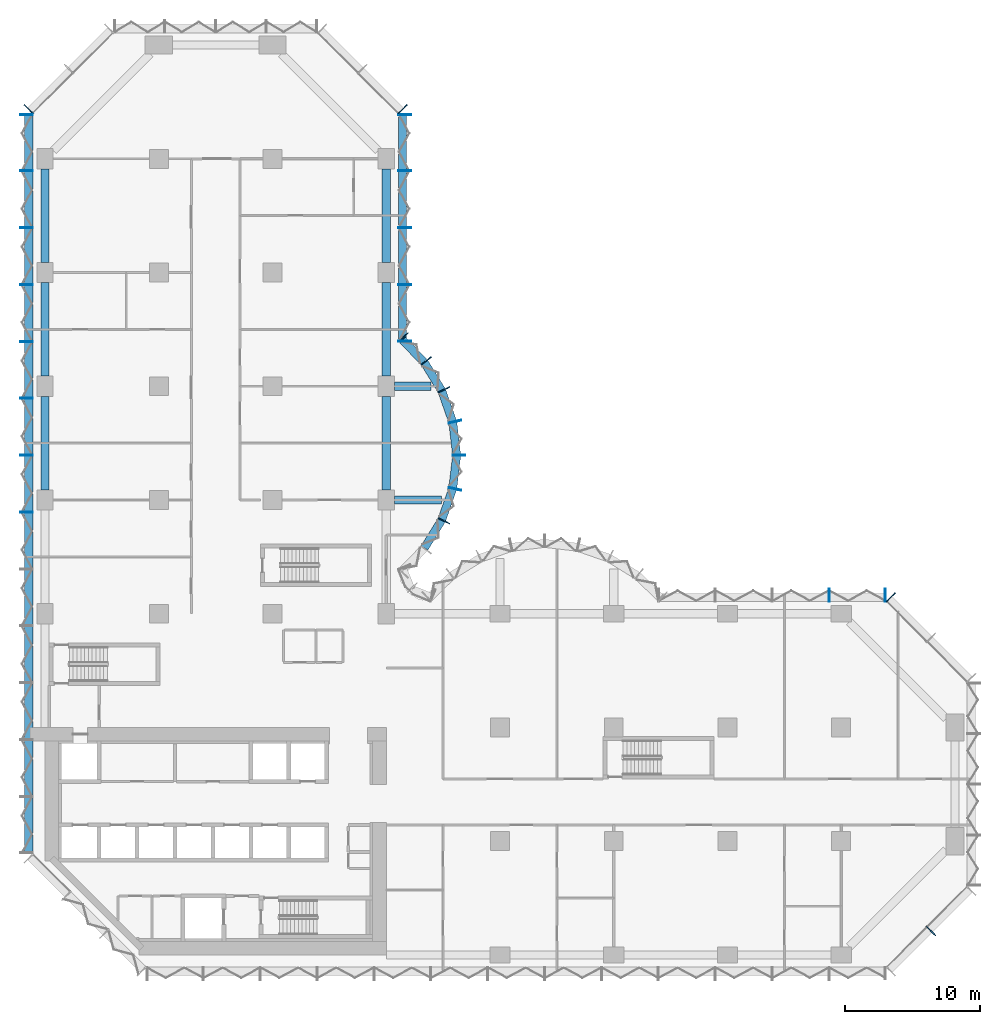
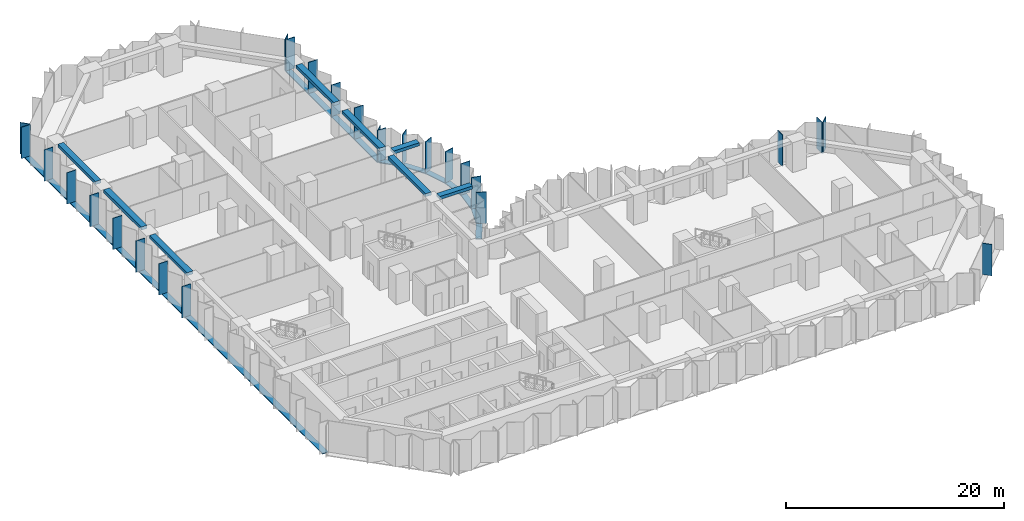
# One storey, part 3 of 15: 35 members, 8 beams, 8 elements without a shape of their own.
"""IFC4 building model written with IfcOpenShell, lengths in metres."""

import ifcopenshell
import ifcopenshell.guid

model = None  # the IFC model being written
_history = None  # IfcOwnerHistory: only IFC2X3 demands one
_inside = {}  # id of a spatial element -> (the spatial element, [elements in it])
_under = {}  # id of a project, library or spatial element -> (it, [spatial elements below it])
_declared = {}  # id of a project -> (the project, [libraries it declares])
_typed = {}  # id of a type object -> (the type object, [elements of that type])
_made_of = {}  # id of a material, layer set ... -> (it, [elements and type objects made of it])


def new_model(schema):
    """Start an empty IFC model of exactly this schema.

    Asked for "IFC4X3", IfcOpenShell would pick the latest addendum, in which some entities
    have other attributes; the version numbers below select the first issue.
    IFC2X3 requires an IfcOwnerHistory on every rooted entity: one is made here for all.
    """
    global model, _history
    if schema == "IFC4X3":
        model = ifcopenshell.file(schema_version=(4, 3, 0, 0))
    else:
        model = ifcopenshell.file(schema=schema)
    _inside.clear()
    _under.clear()
    _declared.clear()
    _typed.clear()
    _made_of.clear()
    _history = None
    if model.schema == "IFC2X3":
        org = make("IfcOrganization", Name="unknown")
        user = make(
            "IfcPersonAndOrganization",
            ThePerson=make("IfcPerson", FamilyName="unknown"),
            TheOrganization=org,
        )
        app = make(
            "IfcApplication",
            ApplicationDeveloper=org,
            Version="unknown",
            ApplicationFullName="unknown",
            ApplicationIdentifier="unknown",
        )
        _history = make(
            "IfcOwnerHistory",
            OwningUser=user,
            OwningApplication=app,
            ChangeAction="ADDED",
            CreationDate=0,
        )
    return model


def make(cls, **values):
    """One entity of the class cls with the attributes given. An attribute that is None is left unset."""
    return model.create_entity(
        cls, **{name: value for name, value in values.items() if value is not None}
    )


def rooted(cls, **values):
    """An entity with a GlobalId (a new one), such as an element, a storey or a relation."""
    return make(cls, GlobalId=ifcopenshell.guid.new(), OwnerHistory=_history, **values)


def si_unit(unit_type, name, prefix=None):
    """IfcSIUnit, for example si_unit("LENGTHUNIT", "METRE", prefix="MILLI")."""
    return make("IfcSIUnit", UnitType=unit_type, Prefix=prefix, Name=name)


def assignment(units):
    """IfcUnitAssignment: the units of a project."""
    return None if units is None else make("IfcUnitAssignment", Units=units)


def point(xyz):
    """IfcCartesianPoint."""
    return None if xyz is None else make("IfcCartesianPoint", Coordinates=xyz)


def direction(xyz):
    """IfcDirection."""
    return None if xyz is None else make("IfcDirection", DirectionRatios=xyz)


def frame(location, z_axis=None, x_axis=None):
    """IfcAxis2Placement3D, a coordinate frame: its origin and axes. An axis left out is left unset."""
    return make(
        "IfcAxis2Placement3D",
        Location=point(location),
        Axis=direction(z_axis),
        RefDirection=direction(x_axis),
    )


def frame_2d(location, x_axis=None):
    """IfcAxis2Placement2D, a coordinate frame in the plane: its origin and x axis."""
    return make(
        "IfcAxis2Placement2D", Location=point(location), RefDirection=direction(x_axis)
    )


def origin():
    """The frame at (0, 0, 0) with its axes left unset."""
    return frame((0.0, 0.0, 0.0))


def origin_2d():
    """The frame at (0, 0) in the plane with its x axis left unset."""
    return frame_2d((0.0, 0.0))


def place(relative_to, where):
    """IfcLocalPlacement: puts the frame where relative to a parent placement (None: the world)."""
    return make(
        "IfcLocalPlacement", PlacementRelTo=relative_to, RelativePlacement=where
    )


def context(
    kind, dimensions, precision=None, world=None, true_north=None, identifier=None
):
    """IfcGeometricRepresentationContext, for example the 3D "Model" context."""
    return make(
        "IfcGeometricRepresentationContext",
        ContextIdentifier=identifier,
        ContextType=kind,
        CoordinateSpaceDimension=dimensions,
        Precision=precision,
        WorldCoordinateSystem=world,
        TrueNorth=true_north,
    )


def subcontext(parent, identifier, kind, view, scale=None):
    """IfcGeometricRepresentationSubContext, for example "Body" below "Model"."""
    return make(
        "IfcGeometricRepresentationSubContext",
        ContextIdentifier=identifier,
        ContextType=kind,
        ParentContext=parent,
        TargetScale=scale,
        TargetView=view,
    )


def project(units=None, contexts=None):
    """IfcProject with its units and contexts."""
    return rooted(
        "IfcProject",
        Name="project",
        RepresentationContexts=contexts,
        UnitsInContext=assignment(units),
    )


def spatial(cls, under=None, at=None, **own):
    """A site, building, storey or space (cls), placed at a placement, below another one or the project."""
    s = rooted(cls, ObjectPlacement=at, **own)
    if under is not None:
        _under.setdefault(under.id(), (under, []))[1].append(s)
    return s


def profile(cls, at=None, kind="AREA", **sizes):
    """A parametric profile (cls). Its sizes go by their IFC names, for example OverallWidth=200.0."""
    return make(cls, ProfileType=kind, Position=at, **sizes)


def rectangle(**sizes):
    """IfcRectangleProfileDef."""
    return profile("IfcRectangleProfileDef", **sizes)


def extrude(swept, where, along, depth):
    """IfcExtrudedAreaSolid: the profile swept, set in the frame where, extruded along a direction by depth."""
    return make(
        "IfcExtrudedAreaSolid",
        SweptArea=swept,
        Position=where,
        ExtrudedDirection=direction(along),
        Depth=depth,
    )


def shape(context_of_items, identifier, shape_type, items):
    """IfcShapeRepresentation: the items that make up one representation, for example the "Body"."""
    return make(
        "IfcShapeRepresentation",
        ContextOfItems=context_of_items,
        RepresentationIdentifier=identifier,
        RepresentationType=shape_type,
        Items=items,
    )


def material(Name=None, Category=None):
    """IfcMaterial."""
    return make("IfcMaterial", Name=Name, Category=Category)


def material_profile(
    of_material, cross_section, Name=None, Category=None, Priority=None
):
    """IfcMaterialProfile: a cross section and its material."""
    return make(
        "IfcMaterialProfile",
        Name=Name,
        Material=of_material,
        Profile=cross_section,
        Priority=Priority,
        Category=Category,
    )


def profile_set(profiles, Name=None, composite=None):
    """IfcMaterialProfileSet."""
    return make(
        "IfcMaterialProfileSet",
        Name=Name,
        MaterialProfiles=profiles,
        CompositeProfile=composite,
    )


def made_of(thing, what):
    """Note that an element or type object is made of a material, layer set ...; save() writes the relation."""
    if what is not None:
        _made_of.setdefault(what.id(), (what, []))[1].append(thing)
    return thing


def type_object(cls, material=None, **own):
    """A type object (cls), such as IfcWallType, which elements share."""
    return made_of(rooted(cls, **own), material)


def element(
    cls,
    number,
    at=None,
    inside=None,
    cuts=None,
    type_object=None,
    material=None,
    context=None,
    identifier="Body",
    shape_type=None,
    held_by="IfcProductDefinitionShape",
    body=None,
    shapes=None,
    **own,
):
    """One element of the class cls, such as IfcWall. Its Tag is "e" and its number.

    at: its placement. inside: the storey or other place that contains it. cuts: it is an
    opening in that element (IfcRelVoidsElement). A single representation is given by context,
    identifier, shape_type and body (its items); several are given by shapes. held_by: the class
    of the entity that holds the representations. save() writes the other relations.
    """
    e = rooted(cls, Tag="e%d" % number, ObjectPlacement=at, **own)
    if body is not None:
        shapes = [shape(context, identifier, shape_type, body)]
    if shapes is not None:
        e.Representation = make(held_by, Representations=shapes)
    if inside is not None:
        _inside.setdefault(inside.id(), (inside, []))[1].append(e)
    if cuts is not None:
        rooted(
            "IfcRelVoidsElement", RelatingBuildingElement=cuts, RelatedOpeningElement=e
        )
    if type_object is not None:
        _typed.setdefault(type_object.id(), (type_object, []))[1].append(e)
    return made_of(e, material)


def aggregate(whole, parts):
    """IfcRelAggregates: a whole, such as a stair, and the parts it consists of."""
    return rooted("IfcRelAggregates", RelatingObject=whole, RelatedObjects=parts)


def save(model, path):
    """Write the relations noted so far, then the file.

    IfcRelAggregates (storeys below a building ...), IfcRelContainedInSpatialStructure (elements
    in a storey), IfcRelDefinesByType, IfcRelAssociatesMaterial and IfcRelDeclares: one each for
    every whole, place, type object, material and project.
    """
    for whole, parts in _under.values():
        aggregate(whole, parts)
    for where, things in _inside.values():
        rooted(
            "IfcRelContainedInSpatialStructure",
            RelatedElements=things,
            RelatingStructure=where,
        )
    for kind, things in _typed.values():
        rooted("IfcRelDefinesByType", RelatedObjects=things, RelatingType=kind)
    for what, things in _made_of.values():
        rooted("IfcRelAssociatesMaterial", RelatedObjects=things, RelatingMaterial=what)
    for by, libraries in _declared.values():
        rooted("IfcRelDeclares", RelatingContext=by, RelatedDefinitions=libraries)
    model.write(path)


model = new_model("IFC4")

# Units and contexts
model_context = context("Model", 3, precision=1e-05, world=origin(), true_north=direction((0.0, 1.0)))
body_context = subcontext(model_context, "Body", "Model", "MODEL_VIEW")
ifc_project = project(units=[si_unit("LENGTHUNIT", "METRE"), si_unit("AREAUNIT", "SQUARE_METRE"), si_unit("VOLUMEUNIT", "CUBIC_METRE"), si_unit("PLANEANGLEUNIT", "RADIAN"), si_unit("MASSUNIT", "GRAM", prefix="KILO")], contexts=[model_context])

# Site, building, storey
site_placement = place(None, origin())
site = spatial("IfcSite", under=ifc_project, at=site_placement, CompositionType="ELEMENT")
building_placement = place(site_placement, origin())
building = spatial("IfcBuilding", under=site, at=building_placement, Name="Brevane Broadcast Tower", CompositionType="ELEMENT")
storey_placement = place(building_placement, frame((0.0, 0.0, 54.5)))
storey = spatial("IfcBuildingStorey", under=building, at=storey_placement, Name="L11", CompositionType="ELEMENT", Elevation=54.5)

# Curtain wall, member
ifc_material_1 = material(Name="Aluminium 6063-T6 bronze anodised", Category="aluminium")
curtain_wall_type = type_object("IfcCurtainWallType", Name="CW-1 curtain wall", PredefinedType="NOTDEFINED", material=ifc_material_1)
curtain_wall_1_placement = place(storey_placement, origin())
curtain_wall_1 = element("IfcCurtainWall", 1, at=curtain_wall_1_placement, inside=storey, type_object=curtain_wall_type, Name="CW-1 typical tilted unit L11 south-east chamfer", PredefinedType="NOTDEFINED")
ifc_material_profile_1 = material_profile(ifc_material_1, rectangle(XDim=0.949951171875, YDim=0.070068359375, at=origin_2d()), Name="RECT 70x950")
ifc_profile_set_1 = profile_set([ifc_material_profile_1], Name="Aluminium 6063-T6 bronze anodised")
member_type_1 = type_object("IfcMemberType", Name="CW-1 mullion 70x950", PredefinedType="MULLION", material=ifc_profile_set_1)
member_1_placement = place(storey_placement, frame((65.435791015625, 1.76416015625, -0.14990234375), z_axis=(0.0, 0.0, 1.0), x_axis=(-0.707106781187, 0.707106781187, 0.0)))
member_1 = element("IfcMember", 2, at=member_1_placement, type_object=member_type_1, Name="CW-1 mullion", PredefinedType="MULLION", context=body_context, shape_type="SweptSolid", body=[
    extrude(rectangle(XDim=0.949951171875, YDim=0.070068359375, at=origin_2d()), origin(), (0.0, 0.0, 1.0), 3.5),
])
aggregate(curtain_wall_1, [member_1])

curtain_wall_2_placement = place(storey_placement, origin())
curtain_wall_2 = element("IfcCurtainWall", 3, at=curtain_wall_2_placement, inside=storey, type_object=curtain_wall_type, Name="CW-1 typical tilted unit L11 north-east chamfer", PredefinedType="NOTDEFINED")
member_2_placement = place(storey_placement, frame((62.460693359375, 26.4111328125, -0.14990234375), z_axis=(0.0, 0.0, 1.0), x_axis=(-0.707106781187, -0.707106781187, 0.0)))
member_2 = element("IfcMember", 4, at=member_2_placement, type_object=member_type_1, Name="CW-1 mullion", PredefinedType="MULLION", context=body_context, shape_type="SweptSolid", body=[
    extrude(rectangle(XDim=0.949951171875, YDim=0.070068359375, at=origin_2d()), origin(), (0.0, 0.0, 1.0), 3.5),
])
aggregate(curtain_wall_2, [member_2])

# Curtain wall, members
curtain_wall_3_placement = place(storey_placement, origin())
curtain_wall_3 = element("IfcCurtainWall", 5, at=curtain_wall_3_placement, inside=storey, type_object=curtain_wall_type, Name="CW-1 typical tilted unit L11 east arm north face", PredefinedType="NOTDEFINED")
member_3_placement = place(storey_placement, frame((62.06494140625, 26.574951171875, -0.14990234375), z_axis=(0.0, 0.0, 1.0), x_axis=(0.0, -1.0, 0.0)))
member_3 = element("IfcMember", 6, at=member_3_placement, type_object=member_type_1, Name="CW-1 mullion", PredefinedType="MULLION", context=body_context, shape_type="SweptSolid", body=[
    extrude(rectangle(XDim=0.949951171875, YDim=0.070068359375, at=origin_2d()), origin(), (0.0, 0.0, 1.0), 3.5),
])
member_4_placement = place(storey_placement, frame((57.89990234375, 26.574951171875, -0.14990234375), z_axis=(0.0, 0.0, 1.0), x_axis=(0.0, -1.0, 0.0)))
member_4 = element("IfcMember", 7, at=member_4_placement, type_object=member_type_1, Name="CW-1 mullion", PredefinedType="MULLION", context=body_context, shape_type="SweptSolid", body=[
    extrude(rectangle(XDim=0.949951171875, YDim=0.070068359375, at=origin_2d()), origin(), (0.0, 0.0, 1.0), 3.5),
])
aggregate(curtain_wall_3, [member_3, member_4])

curtain_wall_4_placement = place(storey_placement, origin())
curtain_wall_4 = element("IfcCurtainWall", 8, at=curtain_wall_4_placement, inside=storey, type_object=curtain_wall_type, Name="CW-1 typical tilted unit L11 north bow", PredefinedType="NOTDEFINED")
member_5_placement = place(storey_placement, frame((29.4580078125, 32.05322265625, -0.14990234375), z_axis=(0.0, 0.0, 1.0), x_axis=(-0.902860508933, 0.429933601163, 0.0)))
member_5 = element("IfcMember", 9, at=member_5_placement, type_object=member_type_1, Name="CW-1 mullion", PredefinedType="MULLION", context=body_context, shape_type="SweptSolid", body=[
    extrude(rectangle(XDim=0.949951171875, YDim=0.070068359375, at=origin_2d()), origin(), (0.0, 0.0, 1.0), 3.5),
])
member_6_placement = place(storey_placement, frame((30.28076171875, 34.411865234375, -0.14990234375), z_axis=(0.0, 0.0, 1.0), x_axis=(-0.974403430594, 0.224806482215, 0.0)))
member_6 = element("IfcMember", 10, at=member_6_placement, type_object=member_type_1, Name="CW-1 mullion", PredefinedType="MULLION", context=body_context, shape_type="SweptSolid", body=[
    extrude(rectangle(XDim=0.949951171875, YDim=0.070068359375, at=origin_2d()), origin(), (0.0, 0.0, 1.0), 3.5),
])
member_7_placement = place(storey_placement, frame((30.574951171875, 36.89990234375, -0.14990234375), z_axis=(0.0, 0.0, 1.0), x_axis=(-1.0, 0.0, 0.0)))
member_7 = element("IfcMember", 11, at=member_7_placement, type_object=member_type_1, Name="CW-1 mullion", PredefinedType="MULLION", context=body_context, shape_type="SweptSolid", body=[
    extrude(rectangle(XDim=0.949951171875, YDim=0.070068359375, at=origin_2d()), origin(), (0.0, 0.0, 1.0), 3.5),
])
member_8_placement = place(storey_placement, frame((30.28076171875, 39.38818359375, -0.14990234375), z_axis=(0.0, 0.0, 1.0), x_axis=(-0.974403430594, -0.224806482215, 0.0)))
member_8 = element("IfcMember", 12, at=member_8_placement, type_object=member_type_1, Name="CW-1 mullion", PredefinedType="MULLION", context=body_context, shape_type="SweptSolid", body=[
    extrude(rectangle(XDim=0.949951171875, YDim=0.070068359375, at=origin_2d()), origin(), (0.0, 0.0, 1.0), 3.5),
])
member_9_placement = place(storey_placement, frame((29.4580078125, 41.746826171875, -0.14990234375), z_axis=(0.0, 0.0, 1.0), x_axis=(-0.902860508933, -0.429933601163, 0.0)))
member_9 = element("IfcMember", 13, at=member_9_placement, type_object=member_type_1, Name="CW-1 mullion", PredefinedType="MULLION", context=body_context, shape_type="SweptSolid", body=[
    extrude(rectangle(XDim=0.949951171875, YDim=0.070068359375, at=origin_2d()), origin(), (0.0, 0.0, 1.0), 3.5),
])
member_10_placement = place(storey_placement, frame((28.1455078125, 43.8720703125, -0.14990234375), z_axis=(0.0, 0.0, 1.0), x_axis=(-0.788706642853, -0.614769738617, 0.0)))
member_10 = element("IfcMember", 14, at=member_10_placement, type_object=member_type_1, Name="CW-1 mullion", PredefinedType="MULLION", context=body_context, shape_type="SweptSolid", body=[
    extrude(rectangle(XDim=0.949951171875, YDim=0.070068359375, at=origin_2d()), origin(), (0.0, 0.0, 1.0), 3.5),
])
member_11_placement = place(storey_placement, frame((26.465087890625, 45.60595703125, -0.14990234375), z_axis=(0.0, 0.0, 1.0), x_axis=(-0.717253872699, -0.696811941702, 0.0)))
member_11 = element("IfcMember", 15, at=member_11_placement, type_object=member_type_1, Name="CW-1 mullion", PredefinedType="MULLION", context=body_context, shape_type="SweptSolid", body=[
    extrude(rectangle(XDim=0.949951171875, YDim=0.070068359375, at=origin_2d()), origin(), (0.0, 0.0, 1.0), 3.5),
])

curtain_wall_5_placement = place(storey_placement, origin())
curtain_wall_5 = element("IfcCurtainWall", 16, at=curtain_wall_5_placement, inside=storey, type_object=curtain_wall_type, Name="CW-1 typical tilted unit L11 north arm east face", PredefinedType="NOTDEFINED")
member_12_placement = place(storey_placement, frame((26.574951171875, 45.3349609375, -0.14990234375), z_axis=(0.0, 0.0, 1.0), x_axis=(-1.0, 0.0, 0.0)))
member_12 = element("IfcMember", 17, at=member_12_placement, type_object=member_type_1, Name="CW-1 mullion", PredefinedType="MULLION", context=body_context, shape_type="SweptSolid", body=[
    extrude(rectangle(XDim=0.949951171875, YDim=0.070068359375, at=origin_2d()), origin(), (0.0, 0.0, 1.0), 3.5),
])
member_13_placement = place(storey_placement, frame((26.574951171875, 49.5, -0.14990234375), z_axis=(0.0, 0.0, 1.0), x_axis=(-1.0, 0.0, 0.0)))
member_13 = element("IfcMember", 18, at=member_13_placement, type_object=member_type_1, Name="CW-1 mullion", PredefinedType="MULLION", context=body_context, shape_type="SweptSolid", body=[
    extrude(rectangle(XDim=0.949951171875, YDim=0.070068359375, at=origin_2d()), origin(), (0.0, 0.0, 1.0), 3.5),
])
member_14_placement = place(storey_placement, frame((26.574951171875, 53.699951171875, -0.14990234375), z_axis=(0.0, 0.0, 1.0), x_axis=(-1.0, 0.0, 0.0)))
member_14 = element("IfcMember", 19, at=member_14_placement, type_object=member_type_1, Name="CW-1 mullion", PredefinedType="MULLION", context=body_context, shape_type="SweptSolid", body=[
    extrude(rectangle(XDim=0.949951171875, YDim=0.070068359375, at=origin_2d()), origin(), (0.0, 0.0, 1.0), 3.5),
])
member_15_placement = place(storey_placement, frame((26.574951171875, 57.89990234375, -0.14990234375), z_axis=(0.0, 0.0, 1.0), x_axis=(-1.0, 0.0, 0.0)))
member_15 = element("IfcMember", 20, at=member_15_placement, type_object=member_type_1, Name="CW-1 mullion", PredefinedType="MULLION", context=body_context, shape_type="SweptSolid", body=[
    extrude(rectangle(XDim=0.949951171875, YDim=0.070068359375, at=origin_2d()), origin(), (0.0, 0.0, 1.0), 3.5),
])
member_16_placement = place(storey_placement, frame((26.574951171875, 62.06494140625, -0.14990234375), z_axis=(0.0, 0.0, 1.0), x_axis=(-1.0, 0.0, 0.0)))
member_16 = element("IfcMember", 21, at=member_16_placement, type_object=member_type_1, Name="CW-1 mullion", PredefinedType="MULLION", context=body_context, shape_type="SweptSolid", body=[
    extrude(rectangle(XDim=0.949951171875, YDim=0.070068359375, at=origin_2d()), origin(), (0.0, 0.0, 1.0), 3.5),
])

# Curtain wall, member
curtain_wall_6_placement = place(storey_placement, origin())
curtain_wall_6 = element("IfcCurtainWall", 22, at=curtain_wall_6_placement, inside=storey, type_object=curtain_wall_type, Name="CW-1 typical tilted unit L11 north arm north-east chamfer", PredefinedType="NOTDEFINED")
member_17_placement = place(storey_placement, frame((26.4111328125, 62.460693359375, -0.14990234375), z_axis=(0.0, 0.0, 1.0), x_axis=(-0.707106781187, -0.707106781187, 0.0)))
member_17 = element("IfcMember", 23, at=member_17_placement, type_object=member_type_1, Name="CW-1 mullion", PredefinedType="MULLION", context=body_context, shape_type="SweptSolid", body=[
    extrude(rectangle(XDim=0.949951171875, YDim=0.070068359375, at=origin_2d()), origin(), (0.0, 0.0, 1.0), 3.5),
])
aggregate(curtain_wall_6, [member_17])

curtain_wall_7_placement = place(storey_placement, origin())
curtain_wall_7 = element("IfcCurtainWall", 24, at=curtain_wall_7_placement, inside=storey, type_object=curtain_wall_type, Name="CW-1 typical tilted unit L11 north-west chamfer", PredefinedType="NOTDEFINED")
member_18_placement = place(storey_placement, frame((-1.211181640625, 62.460693359375, -0.14990234375), z_axis=(0.0, 0.0, 1.0), x_axis=(0.707106781187, -0.707106781187, 0.0)))
member_18 = element("IfcMember", 25, at=member_18_placement, type_object=member_type_1, Name="CW-1 mullion", PredefinedType="MULLION", context=body_context, shape_type="SweptSolid", body=[
    extrude(rectangle(XDim=0.949951171875, YDim=0.070068359375, at=origin_2d()), origin(), (0.0, 0.0, 1.0), 3.5),
])
aggregate(curtain_wall_7, [member_18])

# Curtain wall, members
curtain_wall_8_placement = place(storey_placement, origin())
curtain_wall_8 = element("IfcCurtainWall", 26, at=curtain_wall_8_placement, inside=storey, type_object=curtain_wall_type, Name="CW-1 typical tilted unit L11 west face", PredefinedType="NOTDEFINED")
member_19_placement = place(storey_placement, frame((-1.375, 62.06494140625, -0.14990234375), z_axis=(0.0, 0.0, 1.0), x_axis=(1.0, 0.0, 0.0)))
member_19 = element("IfcMember", 27, at=member_19_placement, type_object=member_type_1, Name="CW-1 mullion", PredefinedType="MULLION", context=body_context, shape_type="SweptSolid", body=[
    extrude(rectangle(XDim=0.949951171875, YDim=0.070068359375, at=origin_2d()), origin(), (0.0, 0.0, 1.0), 3.5),
])
member_20_placement = place(storey_placement, frame((-1.375, 57.89990234375, -0.14990234375), z_axis=(0.0, 0.0, 1.0), x_axis=(1.0, 0.0, 0.0)))
member_20 = element("IfcMember", 28, at=member_20_placement, type_object=member_type_1, Name="CW-1 mullion", PredefinedType="MULLION", context=body_context, shape_type="SweptSolid", body=[
    extrude(rectangle(XDim=0.949951171875, YDim=0.070068359375, at=origin_2d()), origin(), (0.0, 0.0, 1.0), 3.5),
])
member_21_placement = place(storey_placement, frame((-1.375, 53.699951171875, -0.14990234375), z_axis=(0.0, 0.0, 1.0), x_axis=(1.0, 0.0, 0.0)))
member_21 = element("IfcMember", 29, at=member_21_placement, type_object=member_type_1, Name="CW-1 mullion", PredefinedType="MULLION", context=body_context, shape_type="SweptSolid", body=[
    extrude(rectangle(XDim=0.949951171875, YDim=0.070068359375, at=origin_2d()), origin(), (0.0, 0.0, 1.0), 3.5),
])
member_22_placement = place(storey_placement, frame((-1.375, 49.5, -0.14990234375), z_axis=(0.0, 0.0, 1.0), x_axis=(1.0, 0.0, 0.0)))
member_22 = element("IfcMember", 30, at=member_22_placement, type_object=member_type_1, Name="CW-1 mullion", PredefinedType="MULLION", context=body_context, shape_type="SweptSolid", body=[
    extrude(rectangle(XDim=0.949951171875, YDim=0.070068359375, at=origin_2d()), origin(), (0.0, 0.0, 1.0), 3.5),
])
member_23_placement = place(storey_placement, frame((-1.375, 45.300048828125, -0.14990234375), z_axis=(0.0, 0.0, 1.0), x_axis=(1.0, 0.0, 0.0)))
member_23 = element("IfcMember", 31, at=member_23_placement, type_object=member_type_1, Name="CW-1 mullion", PredefinedType="MULLION", context=body_context, shape_type="SweptSolid", body=[
    extrude(rectangle(XDim=0.949951171875, YDim=0.070068359375, at=origin_2d()), origin(), (0.0, 0.0, 1.0), 3.5),
])
member_24_placement = place(storey_placement, frame((-1.375, 41.10009765625, -0.14990234375), z_axis=(0.0, 0.0, 1.0), x_axis=(1.0, 0.0, 0.0)))
member_24 = element("IfcMember", 32, at=member_24_placement, type_object=member_type_1, Name="CW-1 mullion", PredefinedType="MULLION", context=body_context, shape_type="SweptSolid", body=[
    extrude(rectangle(XDim=0.949951171875, YDim=0.070068359375, at=origin_2d()), origin(), (0.0, 0.0, 1.0), 3.5),
])
member_25_placement = place(storey_placement, frame((-1.375, 36.89990234375, -0.14990234375), z_axis=(0.0, 0.0, 1.0), x_axis=(1.0, 0.0, 0.0)))
member_25 = element("IfcMember", 33, at=member_25_placement, type_object=member_type_1, Name="CW-1 mullion", PredefinedType="MULLION", context=body_context, shape_type="SweptSolid", body=[
    extrude(rectangle(XDim=0.949951171875, YDim=0.070068359375, at=origin_2d()), origin(), (0.0, 0.0, 1.0), 3.5),
])
member_26_placement = place(storey_placement, frame((-1.375, 32.699951171875, -0.14990234375), z_axis=(0.0, 0.0, 1.0), x_axis=(1.0, 0.0, 0.0)))
member_26 = element("IfcMember", 34, at=member_26_placement, type_object=member_type_1, Name="CW-1 mullion", PredefinedType="MULLION", context=body_context, shape_type="SweptSolid", body=[
    extrude(rectangle(XDim=0.949951171875, YDim=0.070068359375, at=origin_2d()), origin(), (0.0, 0.0, 1.0), 3.5),
])

# Member
ifc_material_profile_2 = material_profile(ifc_material_1, rectangle(XDim=0.60009765625, YDim=0.10009765625, at=origin_2d()), Name="RECT 100x600")
ifc_profile_set_2 = profile_set([ifc_material_profile_2], Name="Aluminium 6063-T6 bronze anodised")
member_type_2 = type_object("IfcMemberType", Name="CW-1 transom 100x600", PredefinedType="USERDEFINED", material=ifc_profile_set_2)
member_27_placement = place(storey_placement, frame((28.023193359375, 30.0576171875, -0.199951171875), z_axis=(0.525427766759, 0.850838211365, 0.0), x_axis=(-0.850838211365, 0.525427766759, 0.0)))
member_27 = element("IfcMember", 35, at=member_27_placement, type_object=member_type_2, Name="CW-1 transom", ObjectType="TRANSOM", PredefinedType="USERDEFINED", context=body_context, shape_type="SweptSolid", body=[
    extrude(rectangle(XDim=0.60009765625, YDim=0.10009765625, at=origin_2d()), origin(), (0.0, 0.0, 1.0), 2.394775390625),
])

member_28_placement = place(storey_placement, frame((29.314208984375, 32.163818359375, -0.199951171875), z_axis=(0.329378497041, 0.944197969542, 0.0), x_axis=(-0.944197969542, 0.329378497041, 0.0)))
member_28 = element("IfcMember", 36, at=member_28_placement, type_object=member_type_2, Name="CW-1 transom", ObjectType="TRANSOM", PredefinedType="USERDEFINED", context=body_context, shape_type="SweptSolid", body=[
    extrude(rectangle(XDim=0.60009765625, YDim=0.10009765625, at=origin_2d()), origin(), (0.0, 0.0, 1.0), 2.394775390625),
])

member_29_placement = place(storey_placement, frame((30.117431640625, 34.499755859375, -0.199951171875), z_axis=(0.117603307202, 0.993060653805, 0.0), x_axis=(-0.993060653805, 0.117603307202, 0.0)))
member_29 = element("IfcMember", 37, at=member_29_placement, type_object=member_type_2, Name="CW-1 transom", ObjectType="TRANSOM", PredefinedType="USERDEFINED", context=body_context, shape_type="SweptSolid", body=[
    extrude(rectangle(XDim=0.60009765625, YDim=0.10009765625, at=origin_2d()), origin(), (0.0, 0.0, 1.0), 2.397705078125),
])

member_30_placement = place(storey_placement, frame((30.3994140625, 36.9189453125, -0.199951171875), z_axis=(-0.117591417, 0.993062061831, 0.0), x_axis=(-0.993062061831, -0.117591417, 0.0)))
member_30 = element("IfcMember", 38, at=member_30_placement, type_object=member_type_2, Name="CW-1 transom", ObjectType="TRANSOM", PredefinedType="USERDEFINED", context=body_context, shape_type="SweptSolid", body=[
    extrude(rectangle(XDim=0.60009765625, YDim=0.10009765625, at=origin_2d()), origin(), (0.0, 0.0, 1.0), 2.39794921875),
])

member_31_placement = place(storey_placement, frame((30.10302734375, 39.375, -0.199951171875), z_axis=(-0.329378497041, 0.944197969542, 0.0), x_axis=(-0.944197969542, -0.329378497041, 0.0)))
member_31 = element("IfcMember", 39, at=member_31_placement, type_object=member_type_2, Name="CW-1 transom", ObjectType="TRANSOM", PredefinedType="USERDEFINED", context=body_context, shape_type="SweptSolid", body=[
    extrude(rectangle(XDim=0.60009765625, YDim=0.10009765625, at=origin_2d()), origin(), (0.0, 0.0, 1.0), 2.394775390625),
])

member_32_placement = place(storey_placement, frame((29.281494140625, 41.704833984375, -0.199951171875), z_axis=(-0.525473345162, 0.850810063131, 0.0), x_axis=(-0.850810063131, -0.525473345162, 0.0)))
member_32 = element("IfcMember", 40, at=member_32_placement, type_object=member_type_2, Name="CW-1 transom", ObjectType="TRANSOM", PredefinedType="USERDEFINED", context=body_context, shape_type="SweptSolid", body=[
    extrude(rectangle(XDim=0.60009765625, YDim=0.10009765625, at=origin_2d()), origin(), (0.0, 0.0, 1.0), 2.39453125),
])

member_33_placement = place(storey_placement, frame((27.974365234375, 43.800537109375, -0.199951171875), z_axis=(-0.696823999134, 0.71724215871, 0.0), x_axis=(-0.71724215871, -0.696823999134, 0.0)))
member_33 = element("IfcMember", 41, at=member_33_placement, type_object=member_type_2, Name="CW-1 transom", ObjectType="TRANSOM", PredefinedType="USERDEFINED", context=body_context, shape_type="SweptSolid", body=[
    extrude(rectangle(XDim=0.60009765625, YDim=0.10009765625, at=origin_2d()), origin(), (0.0, 0.0, 1.0), 2.247802734375),
])

aggregate(curtain_wall_4, [member_5, member_6, member_7, member_8, member_9, member_10, member_11, member_27, member_28, member_29, member_30, member_31, member_32, member_33])

member_34_placement = place(storey_placement, frame((26.39990234375, 45.300048828125, -0.199951171875), z_axis=(0.0, 1.0, 0.0), x_axis=(-1.0, 0.0, 0.0)))
member_34 = element("IfcMember", 42, at=member_34_placement, type_object=member_type_2, Name="CW-1 transom", ObjectType="TRANSOM", PredefinedType="USERDEFINED", context=body_context, shape_type="SweptSolid", body=[
    extrude(rectangle(XDim=0.60009765625, YDim=0.10009765625, at=origin_2d()), origin(), (0.0, 0.0, 1.0), 16.800048828125),
])

aggregate(curtain_wall_5, [member_12, member_13, member_14, member_15, member_16, member_34])

member_35_placement = place(storey_placement, frame((-1.199951171875, 62.10009765625, -0.199951171875), z_axis=(0.0, -1.0, 0.0), x_axis=(1.0, 0.0, 0.0)))
member_35 = element("IfcMember", 43, at=member_35_placement, type_object=member_type_2, Name="CW-1 transom", ObjectType="TRANSOM", PredefinedType="USERDEFINED", context=body_context, shape_type="SweptSolid", body=[
    extrude(rectangle(XDim=0.60009765625, YDim=0.10009765625, at=origin_2d()), origin(), (0.0, 0.0, 1.0), 54.60009765625),
])

aggregate(curtain_wall_8, [member_19, member_20, member_21, member_22, member_23, member_24, member_25, member_26, member_35])

# Beams
ifc_material_2 = material(Name="Concrete C40/50", Category="concrete")
ifc_material_profile_3 = material_profile(ifc_material_2, rectangle(XDim=0.60009765625, YDim=0.35009765625, at=origin_2d()), Name="RC 600x350")
ifc_profile_set_3 = profile_set([ifc_material_profile_3], Name="Concrete C40/50")
beam_type_1 = type_object("IfcBeamType", Name="RC BRACKET BEAM 600x350 C40/50", PredefinedType="BEAM", material=ifc_profile_set_3)
beam_1_placement = place(storey_placement, frame((25.800048828125, 33.60009765625, 3.175048828125), z_axis=(1.0, 0.0, 0.0), x_axis=(0.0, 1.0, 0.0)))
element("IfcBeam", 44, at=beam_1_placement, inside=storey, type_object=beam_type_1, Name="EB2 L11-1", PredefinedType="BEAM", context=body_context, shape_type="SweptSolid", body=[
    extrude(rectangle(XDim=0.60009765625, YDim=0.35009765625, at=origin_2d()), origin(), (0.0, 0.0, 1.0), 3.4619140625),
])
beam_2_placement = place(storey_placement, frame((25.800048828125, 42.0, 3.175048828125), z_axis=(1.0, 0.0, 0.0), x_axis=(0.0, 1.0, 0.0)))
element("IfcBeam", 45, at=beam_2_placement, inside=storey, type_object=beam_type_1, Name="EB2 L11-2", PredefinedType="BEAM", context=body_context, shape_type="SweptSolid", body=[
    extrude(rectangle(XDim=0.60009765625, YDim=0.35009765625, at=origin_2d()), origin(), (0.0, 0.0, 1.0), 2.71142578125),
])
ifc_material_profile_4 = material_profile(ifc_material_2, rectangle(XDim=0.60009765625, YDim=0.35009765625, at=origin_2d()), Name="RC 600x350")
ifc_profile_set_4 = profile_set([ifc_material_profile_4], Name="Concrete C40/50")
beam_type_2 = type_object("IfcBeamType", Name="RC SPANDREL BEAM 600x350 C40/50", PredefinedType="SPANDREL", material=ifc_profile_set_4)
for number, where, z_axis, x_axis, name in (
    (46, (25.199951171875, 34.35009765625, 3.175048828125), (0.0, 1.0, 0.0), (-1.0, 0.0, 0.0), "EB1 L11-13"),
    (47, (25.199951171875, 42.75, 3.175048828125), (0.0, 1.0, 0.0), (-1.0, 0.0, 0.0), "EB1 L11-14"),
):
    element("IfcBeam", number, at=place(storey_placement, frame(where, z_axis=z_axis, x_axis=x_axis)), inside=storey, type_object=beam_type_2, Name=name, PredefinedType="SPANDREL", context=body_context, shape_type="SweptSolid", body=[
        extrude(rectangle(XDim=0.60009765625, YDim=0.35009765625, at=origin_2d()), origin(), (0.0, 0.0, 1.0), 6.89990234375),
    ])
for number, where, z_axis, x_axis, name in (
    (48, (25.199951171875, 51.14990234375, 3.175048828125), (0.0, 1.0, 0.0), (-1.0, 0.0, 0.0), "EB1 L11-15"),
    (49, (0.0, 58.050048828125, 3.175048828125), (0.0, -1.0, 0.0), (1.0, 0.0, 0.0), "EB1 L11-19"),
):
    element("IfcBeam", number, at=place(storey_placement, frame(where, z_axis=z_axis, x_axis=x_axis)), inside=storey, type_object=beam_type_2, Name=name, PredefinedType="SPANDREL", context=body_context, shape_type="SweptSolid", body=[
        extrude(rectangle(XDim=0.60009765625, YDim=0.35009765625, at=origin_2d()), origin(), (0.0, 0.0, 1.0), 6.900146484375),
    ])
for number, where, z_axis, x_axis, name in (
    (50, (0.0, 49.64990234375, 3.175048828125), (0.0, -1.0, 0.0), (1.0, 0.0, 0.0), "EB1 L11-20"),
    (51, (0.0, 41.25, 3.175048828125), (0.0, -1.0, 0.0), (1.0, 0.0, 0.0), "EB1 L11-21"),
):
    element("IfcBeam", number, at=place(storey_placement, frame(where, z_axis=z_axis, x_axis=x_axis)), inside=storey, type_object=beam_type_2, Name=name, PredefinedType="SPANDREL", context=body_context, shape_type="SweptSolid", body=[
        extrude(rectangle(XDim=0.60009765625, YDim=0.35009765625, at=origin_2d()), origin(), (0.0, 0.0, 1.0), 6.89990234375),
    ])

save(model, "model.ifc")
